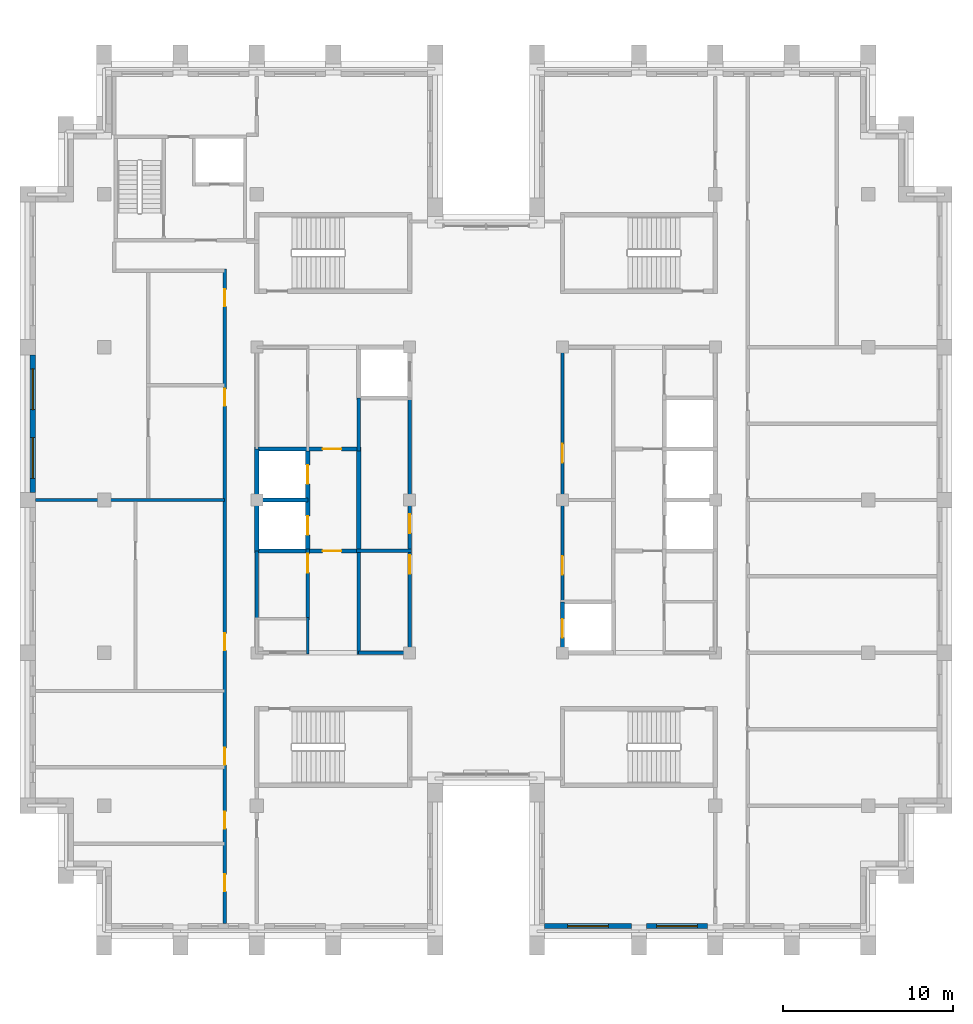
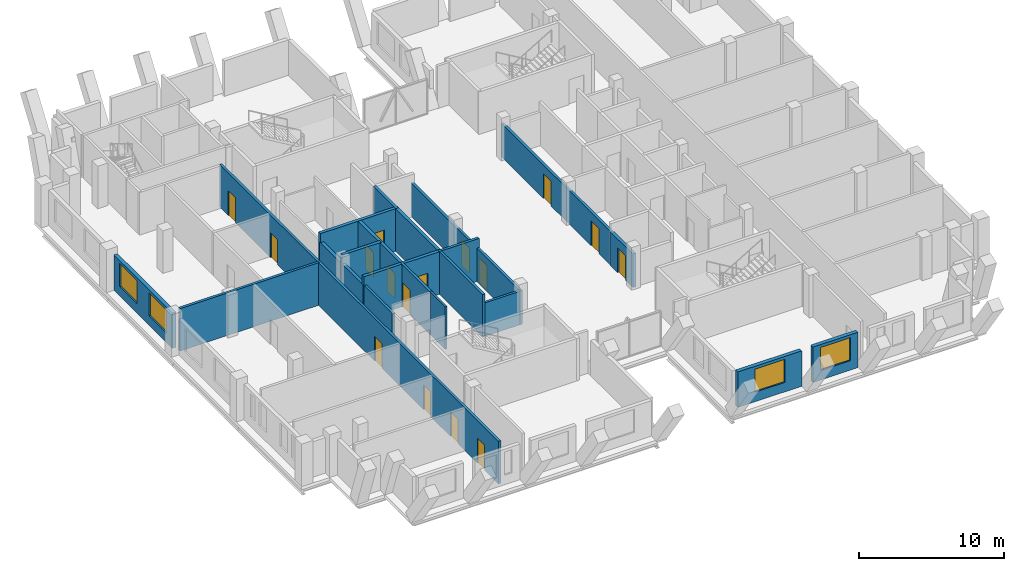
# One storey, part 7 of 13: 21 walls, 16 doors, 4 windows, 20 openings.
"""IFC4 building model written with IfcOpenShell, lengths in metres."""

from ifc_helpers import new_model, si_unit, direction, frame, frame_2d, origin, place, context, subcontext, project, spatial, rectangle, extrude, material, layer, layer_set, type_object, element, fill, save


model = new_model("IFC4")

# Units and contexts
model_context = context("Model", 3, precision=1e-05, world=origin(), true_north=direction((0.0, 1.0)))
body_context = subcontext(model_context, "Body", "Model", "MODEL_VIEW")
ifc_project = project(units=[si_unit("LENGTHUNIT", "METRE"), si_unit("AREAUNIT", "SQUARE_METRE"), si_unit("VOLUMEUNIT", "CUBIC_METRE"), si_unit("PLANEANGLEUNIT", "RADIAN"), si_unit("MASSUNIT", "GRAM", prefix="KILO")], contexts=[model_context])

# Site, building, storey
site_placement = place(None, origin())
site = spatial("IfcSite", under=ifc_project, at=site_placement, CompositionType="ELEMENT")
building_placement = place(site_placement, origin())
building = spatial("IfcBuilding", under=site, at=building_placement, Name="Corbelhall Arena Tower", CompositionType="ELEMENT")
storey_placement = place(building_placement, frame((0.0, 0.0, 346.0)))
storey = spatial("IfcBuildingStorey", under=building, at=storey_placement, Name="L76", CompositionType="ELEMENT", Elevation=346.0)

# Wall, openings, windows
ifc_material_1 = material(Name="Precast concrete C40/50 with granite facing", Category="masonry")
ifc_layer_1 = layer(ifc_material_1, 0.300048828125)
ifc_layer_set_1 = layer_set([ifc_layer_1], Name="EV-IW1 Infill panel 300")
wall_type_1 = type_object("IfcWallType", Name="EV-IW1 Infill panel 300", PredefinedType="SOLIDWALL", material=ifc_layer_set_1)
wall_1_placement = place(storey_placement, frame((-26.699951171875, 8.550048828125, 0.0), z_axis=(0.0, 0.0, 1.0), x_axis=(0.0, -1.0, 0.0)))
wall_1 = element("IfcWall", 1, at=wall_1_placement, inside=storey, type_object=wall_type_1, Name="Infill panel IW1", PredefinedType="SOLIDWALL", context=body_context, shape_type="SweptSolid", body=[
    extrude(rectangle(XDim=8.10009765625, YDim=0.300048828125, at=frame_2d((4.050048828125, 0.0))), origin(), (0.0, 0.0, 1.0), 2.989990234375),
])
opening_1_placement = place(wall_1_placement, frame((0.824951171875, 0.0, 0.800048828125)))
opening_1 = element("IfcOpeningElement", 2, at=opening_1_placement, cuts=wall_1, Name="Opening WN1", PredefinedType="OPENING", context=body_context, shape_type="SweptSolid", body=[
    extrude(rectangle(XDim=2.39990234375, YDim=1.949951171875, at=frame_2d((1.199951171875, 0.97509765625))), frame((0.0, 0.14990234375, 0.0), z_axis=(0.0, -1.0, 0.0), x_axis=(1.0, 0.0, 0.0)), (0.0, 0.0, 1.0), 0.300048828125),
])
opening_2_placement = place(wall_1_placement, frame((4.875, 0.0, 0.800048828125)))
opening_2 = element("IfcOpeningElement", 3, at=opening_2_placement, cuts=wall_1, Name="Opening WN1", PredefinedType="OPENING", context=body_context, shape_type="SweptSolid", body=[
    extrude(rectangle(XDim=2.39990234375, YDim=1.949951171875, at=frame_2d((1.199951171875, 0.97509765625))), frame((0.0, 0.14990234375, 0.0), z_axis=(0.0, -1.0, 0.0), x_axis=(1.0, 0.0, 0.0)), (0.0, 0.0, 1.0), 0.300048828125),
])
ifc_material_2 = material(Name="Aluminium black anodised", Category="aluminium")
window_type = type_object("IfcWindowType", Name="EV-WN1 Office window", PartitioningType="SINGLE_PANEL", PredefinedType="WINDOW", material=ifc_material_2)
window_1_placement = place(opening_1_placement, origin())
window_1 = element("IfcWindow", 4, at=window_1_placement, inside=storey, type_object=window_type, Name="Window WN1", OverallHeight=1.949951171875, OverallWidth=2.39990234375, PartitioningType="SINGLE_PANEL", PredefinedType="WINDOW", context=body_context, shape_type="SweptSolid", body=[
    extrude(rectangle(XDim=2.39990234375, YDim=1.949951171875, at=frame_2d((1.199951171875, 0.97509765625))), frame((0.0, 0.030029296875, 0.0), z_axis=(0.0, -1.0, 0.0), x_axis=(1.0, 0.0, 0.0)), (0.0, 0.0, 1.0), 0.06005859375),
])
fill(opening_1, window_1)
window_2_placement = place(opening_2_placement, origin())
window_2 = element("IfcWindow", 5, at=window_2_placement, inside=storey, type_object=window_type, Name="Window WN1", OverallHeight=1.949951171875, OverallWidth=2.39990234375, PartitioningType="SINGLE_PANEL", PredefinedType="WINDOW", context=body_context, shape_type="SweptSolid", body=[
    extrude(rectangle(XDim=2.39990234375, YDim=1.949951171875, at=frame_2d((1.199951171875, 0.97509765625))), frame((0.0, 0.030029296875, 0.0), z_axis=(0.0, -1.0, 0.0), x_axis=(1.0, 0.0, 0.0)), (0.0, 0.0, 1.0), 0.06005859375),
])
fill(opening_2, window_2)

# Wall, opening, window
wall_2_placement = place(storey_placement, frame((3.449951171875, -25.10009765625, 0.0), z_axis=(0.0, 0.0, 1.0), x_axis=(1.0, 0.0, 0.0)))
wall_2 = element("IfcWall", 6, at=wall_2_placement, inside=storey, type_object=wall_type_1, Name="Infill panel IW1", PredefinedType="SOLIDWALL", context=body_context, shape_type="SweptSolid", body=[
    extrude(rectangle(XDim=5.10009765625, YDim=0.300048828125, at=frame_2d((2.550048828125, 0.0))), origin(), (0.0, 0.0, 1.0), 2.989990234375),
])
opening_3_placement = place(wall_2_placement, frame((1.35009765625, 0.0, 0.800048828125)))
opening_3 = element("IfcOpeningElement", 7, at=opening_3_placement, cuts=wall_2, Name="Opening WN1", PredefinedType="OPENING", context=body_context, shape_type="SweptSolid", body=[
    extrude(rectangle(XDim=2.39990234375, YDim=1.949951171875, at=frame_2d((1.199951171875, 0.97509765625))), frame((0.0, 0.14990234375, 0.0), z_axis=(0.0, -1.0, 0.0), x_axis=(1.0, 0.0, 0.0)), (0.0, 0.0, 1.0), 0.300048828125),
])
window_3_placement = place(opening_3_placement, origin())
window_3 = element("IfcWindow", 8, at=window_3_placement, inside=storey, type_object=window_type, Name="Window WN1", OverallHeight=1.949951171875, OverallWidth=2.39990234375, PartitioningType="SINGLE_PANEL", PredefinedType="WINDOW", context=body_context, shape_type="SweptSolid", body=[
    extrude(rectangle(XDim=2.39990234375, YDim=1.949951171875, at=frame_2d((1.199951171875, 0.97509765625))), frame((0.0, 0.030029296875, 0.0), z_axis=(0.0, -1.0, 0.0), x_axis=(1.0, 0.0, 0.0)), (0.0, 0.0, 1.0), 0.06005859375),
])
fill(opening_3, window_3)

wall_3_placement = place(storey_placement, frame((9.449951171875, -25.10009765625, 0.0), z_axis=(0.0, 0.0, 1.0), x_axis=(1.0, 0.0, 0.0)))
wall_3 = element("IfcWall", 9, at=wall_3_placement, inside=storey, type_object=wall_type_1, Name="Infill panel IW1", PredefinedType="SOLIDWALL", context=body_context, shape_type="SweptSolid", body=[
    extrude(rectangle(XDim=3.60009765625, YDim=0.300048828125, at=frame_2d((1.800048828125, 0.0))), origin(), (0.0, 0.0, 1.0), 2.989990234375),
])
opening_4_placement = place(wall_3_placement, frame((0.60009765625, 0.0, 0.800048828125)))
opening_4 = element("IfcOpeningElement", 10, at=opening_4_placement, cuts=wall_3, Name="Opening WN1", PredefinedType="OPENING", context=body_context, shape_type="SweptSolid", body=[
    extrude(rectangle(XDim=2.39990234375, YDim=1.949951171875, at=frame_2d((1.199951171875, 0.97509765625))), frame((0.0, 0.14990234375, 0.0), z_axis=(0.0, -1.0, 0.0), x_axis=(1.0, 0.0, 0.0)), (0.0, 0.0, 1.0), 0.300048828125),
])
window_4_placement = place(opening_4_placement, origin())
window_4 = element("IfcWindow", 11, at=window_4_placement, inside=storey, type_object=window_type, Name="Window WN1", OverallHeight=1.949951171875, OverallWidth=2.39990234375, PartitioningType="SINGLE_PANEL", PredefinedType="WINDOW", context=body_context, shape_type="SweptSolid", body=[
    extrude(rectangle(XDim=2.39990234375, YDim=1.949951171875, at=frame_2d((1.199951171875, 0.97509765625))), frame((0.0, 0.030029296875, 0.0), z_axis=(0.0, -1.0, 0.0), x_axis=(1.0, 0.0, 0.0)), (0.0, 0.0, 1.0), 0.06005859375),
])
fill(opening_4, window_4)

# Wall
ifc_material_3 = material(Name="Gypsum board on steel stud, acoustic", Category="steel")
ifc_layer_2 = layer(ifc_material_3, 0.199951171875)
ifc_layer_set_2 = layer_set([ifc_layer_2], Name="IN-W-DM200")
wall_type_2 = type_object("IfcWallType", Name="IN-W-DM200", PredefinedType="PARTITIONING", material=ifc_layer_set_2)
wall_4_placement = place(storey_placement, frame((-15.39990234375, 0.0, 0.0), z_axis=(0.0, 0.0, 1.0), x_axis=(-1.0, 0.0, 0.0)))
element("IfcWall", 12, at=wall_4_placement, inside=storey, type_object=wall_type_2, Name="Partition 007", PredefinedType="PARTITIONING", context=body_context, shape_type="SweptSolid", body=[
    extrude(rectangle(XDim=11.150146484375, YDim=0.199951171875, at=frame_2d((5.5751953125, 0.0))), origin(), (0.0, 0.0, 1.0), 3.590087890625),
])

# Wall, openings, doors
wall_5_placement = place(storey_placement, frame((-15.39990234375, -24.949951171875, 0.0), z_axis=(0.0, 0.0, 1.0), x_axis=(0.0, 1.0, 0.0)))
wall_5 = element("IfcWall", 13, at=wall_5_placement, inside=storey, type_object=wall_type_2, Name="Partition 011", PredefinedType="PARTITIONING", context=body_context, shape_type="SweptSolid", body=[
    extrude(rectangle(XDim=38.550048828125, YDim=0.199951171875, at=frame_2d((19.27490234375, 0.0))), origin(), (0.0, 0.0, 1.0), 3.590087890625),
])
opening_5_placement = place(wall_5_placement, frame((30.5, 0.0, 0.0)))
opening_5 = element("IfcOpeningElement", 14, at=opening_5_placement, cuts=wall_5, Name="Opening 24022", PredefinedType="OPENING", context=body_context, shape_type="SweptSolid", body=[
    extrude(rectangle(XDim=1.0, YDim=2.10009765625, at=frame_2d((0.5, 1.050048828125))), frame((0.0, 0.10009765625, 0.0), z_axis=(0.0, -1.0, 0.0), x_axis=(1.0, 0.0, 0.0)), (0.0, 0.0, 1.0), 0.199951171875),
])
opening_6_placement = place(wall_5_placement, frame((36.35009765625, 0.0, 0.0)))
opening_6 = element("IfcOpeningElement", 15, at=opening_6_placement, cuts=wall_5, Name="Opening 24023", PredefinedType="OPENING", context=body_context, shape_type="SweptSolid", body=[
    extrude(rectangle(XDim=1.0, YDim=2.10009765625, at=frame_2d((0.5, 1.050048828125))), frame((0.0, 0.10009765625, 0.0), z_axis=(0.0, -1.0, 0.0), x_axis=(1.0, 0.0, 0.0)), (0.0, 0.0, 1.0), 0.199951171875),
])
opening_7_placement = place(wall_5_placement, frame((1.89990234375, 0.0, 0.0)))
opening_7 = element("IfcOpeningElement", 16, at=opening_7_placement, cuts=wall_5, Name="Opening 24025", PredefinedType="OPENING", context=body_context, shape_type="SweptSolid", body=[
    extrude(rectangle(XDim=1.0, YDim=2.10009765625, at=frame_2d((0.5, 1.050048828125))), frame((0.0, 0.10009765625, 0.0), z_axis=(0.0, -1.0, 0.0), x_axis=(1.0, 0.0, 0.0)), (0.0, 0.0, 1.0), 0.199951171875),
])
opening_8_placement = place(wall_5_placement, frame((5.60009765625, 0.0, 0.0)))
opening_8 = element("IfcOpeningElement", 17, at=opening_8_placement, cuts=wall_5, Name="Opening 24026", PredefinedType="OPENING", context=body_context, shape_type="SweptSolid", body=[
    extrude(rectangle(XDim=1.0, YDim=2.10009765625, at=frame_2d((0.5, 1.050048828125))), frame((0.0, 0.10009765625, 0.0), z_axis=(0.0, -1.0, 0.0), x_axis=(1.0, 0.0, 0.0)), (0.0, 0.0, 1.0), 0.199951171875),
])
opening_9_placement = place(wall_5_placement, frame((9.35009765625, 0.0, 0.0)))
opening_9 = element("IfcOpeningElement", 18, at=opening_9_placement, cuts=wall_5, Name="Opening 24027", PredefinedType="OPENING", context=body_context, shape_type="SweptSolid", body=[
    extrude(rectangle(XDim=1.0, YDim=2.10009765625, at=frame_2d((0.5, 1.050048828125))), frame((0.0, 0.10009765625, 0.0), z_axis=(0.0, -1.0, 0.0), x_axis=(1.0, 0.0, 0.0)), (0.0, 0.0, 1.0), 0.199951171875),
])
opening_10_placement = place(wall_5_placement, frame((16.10009765625, 0.0, 0.0)))
opening_10 = element("IfcOpeningElement", 19, at=opening_10_placement, cuts=wall_5, Name="Opening 24028", PredefinedType="OPENING", context=body_context, shape_type="SweptSolid", body=[
    extrude(rectangle(XDim=1.0, YDim=2.10009765625, at=frame_2d((0.5, 1.050048828125))), frame((0.0, 0.10009765625, 0.0), z_axis=(0.0, -1.0, 0.0), x_axis=(1.0, 0.0, 0.0)), (0.0, 0.0, 1.0), 0.199951171875),
])
ifc_material_4 = material(Name="Steel door set", Category="steel")
door_type_1 = type_object("IfcDoorType", Name="IN-D-SW100", OperationType="NOTDEFINED", PredefinedType="DOOR", material=ifc_material_4)
door_1_placement = place(opening_5_placement, origin())
door_1 = element("IfcDoor", 20, at=door_1_placement, inside=storey, type_object=door_type_1, Name="Door 022", OperationType="SINGLE_SWING_LEFT", OverallHeight=2.10009765625, OverallWidth=1.0, PredefinedType="DOOR", context=body_context, shape_type="SweptSolid", body=[
    extrude(rectangle(XDim=1.0, YDim=2.10009765625, at=frame_2d((0.5, 1.050048828125))), frame((0.0, 0.02490234375, 0.0), z_axis=(0.0, -1.0, 0.0), x_axis=(1.0, 0.0, 0.0)), (0.0, 0.0, 1.0), 0.050048828125),
])
fill(opening_5, door_1)
door_2_placement = place(opening_6_placement, origin())
door_2 = element("IfcDoor", 21, at=door_2_placement, inside=storey, type_object=door_type_1, Name="Door 023", OperationType="SINGLE_SWING_RIGHT", OverallHeight=2.10009765625, OverallWidth=1.0, PredefinedType="DOOR", context=body_context, shape_type="SweptSolid", body=[
    extrude(rectangle(XDim=1.0, YDim=2.10009765625, at=frame_2d((0.5, 1.050048828125))), frame((0.0, 0.02490234375, 0.0), z_axis=(0.0, -1.0, 0.0), x_axis=(1.0, 0.0, 0.0)), (0.0, 0.0, 1.0), 0.050048828125),
])
fill(opening_6, door_2)
door_3_placement = place(opening_7_placement, origin())
door_3 = element("IfcDoor", 22, at=door_3_placement, inside=storey, type_object=door_type_1, Name="Door 025", OperationType="SINGLE_SWING_RIGHT", OverallHeight=2.10009765625, OverallWidth=1.0, PredefinedType="DOOR", context=body_context, shape_type="SweptSolid", body=[
    extrude(rectangle(XDim=1.0, YDim=2.10009765625, at=frame_2d((0.5, 1.050048828125))), frame((0.0, 0.02490234375, 0.0), z_axis=(0.0, -1.0, 0.0), x_axis=(1.0, 0.0, 0.0)), (0.0, 0.0, 1.0), 0.050048828125),
])
fill(opening_7, door_3)
door_4_placement = place(opening_8_placement, origin())
door_4 = element("IfcDoor", 23, at=door_4_placement, inside=storey, type_object=door_type_1, Name="Door 026", OperationType="SINGLE_SWING_LEFT", OverallHeight=2.10009765625, OverallWidth=1.0, PredefinedType="DOOR", context=body_context, shape_type="SweptSolid", body=[
    extrude(rectangle(XDim=1.0, YDim=2.10009765625, at=frame_2d((0.5, 1.050048828125))), frame((0.0, 0.02490234375, 0.0), z_axis=(0.0, -1.0, 0.0), x_axis=(1.0, 0.0, 0.0)), (0.0, 0.0, 1.0), 0.050048828125),
])
fill(opening_8, door_4)
door_5_placement = place(opening_9_placement, origin())
door_5 = element("IfcDoor", 24, at=door_5_placement, inside=storey, type_object=door_type_1, Name="Door 027", OperationType="SINGLE_SWING_RIGHT", OverallHeight=2.10009765625, OverallWidth=1.0, PredefinedType="DOOR", context=body_context, shape_type="SweptSolid", body=[
    extrude(rectangle(XDim=1.0, YDim=2.10009765625, at=frame_2d((0.5, 1.050048828125))), frame((0.0, 0.02490234375, 0.0), z_axis=(0.0, -1.0, 0.0), x_axis=(1.0, 0.0, 0.0)), (0.0, 0.0, 1.0), 0.050048828125),
])
fill(opening_9, door_5)
door_6_placement = place(opening_10_placement, origin())
door_6 = element("IfcDoor", 25, at=door_6_placement, inside=storey, type_object=door_type_1, Name="Door 028", OperationType="SINGLE_SWING_LEFT", OverallHeight=2.10009765625, OverallWidth=1.0, PredefinedType="DOOR", context=body_context, shape_type="SweptSolid", body=[
    extrude(rectangle(XDim=1.0, YDim=2.10009765625, at=frame_2d((0.5, 1.050048828125))), frame((0.0, 0.02490234375, 0.0), z_axis=(0.0, -1.0, 0.0), x_axis=(1.0, 0.0, 0.0)), (0.0, 0.0, 1.0), 0.050048828125),
])
fill(opening_10, door_6)

# Wall, opening, door
ifc_material_5 = material(Name="Concrete block wall", Category="concrete")
ifc_layer_3 = layer(ifc_material_5, 0.199951171875)
ifc_layer_set_3 = layer_set([ifc_layer_3], Name="IN-W-RS200")
wall_type_3 = type_object("IfcWallType", Name="IN-W-RS200", PredefinedType="SOLIDWALL", material=ifc_layer_set_3)
wall_6_placement = place(storey_placement, frame((-10.5, -7.074951171875, 0.0), z_axis=(0.0, 0.0, 1.0), x_axis=(0.0, 1.0, 0.0)))
wall_6 = element("IfcWall", 26, at=wall_6_placement, inside=storey, type_object=wall_type_3, Name="Partition 032", PredefinedType="SOLIDWALL", context=body_context, shape_type="SweptSolid", body=[
    extrude(rectangle(XDim=4.199951171875, YDim=0.199951171875, at=frame_2d((2.10009765625, 0.0))), origin(), (0.0, 0.0, 1.0), 3.590087890625),
])
opening_11_placement = place(wall_6_placement, frame((2.800048828125, 0.0, 0.0)))
opening_11 = element("IfcOpeningElement", 27, at=opening_11_placement, cuts=wall_6, Name="Opening 24006", PredefinedType="OPENING", context=body_context, shape_type="SweptSolid", body=[
    extrude(rectangle(XDim=1.10009765625, YDim=2.10009765625, at=frame_2d((0.550048828125, 1.050048828125))), frame((0.0, 0.10009765625, 0.0), z_axis=(0.0, -1.0, 0.0), x_axis=(1.0, 0.0, 0.0)), (0.0, 0.0, 1.0), 0.199951171875),
])
door_type_2 = type_object("IfcDoorType", Name="IN-D-FD110", OperationType="NOTDEFINED", PredefinedType="DOOR", material=ifc_material_4)
door_7_placement = place(opening_11_placement, origin())
door_7 = element("IfcDoor", 28, at=door_7_placement, inside=storey, type_object=door_type_2, Name="Door 006", OperationType="SINGLE_SWING_LEFT", OverallHeight=2.10009765625, OverallWidth=1.10009765625, PredefinedType="DOOR", context=body_context, shape_type="SweptSolid", body=[
    extrude(rectangle(XDim=1.10009765625, YDim=2.10009765625, at=frame_2d((0.550048828125, 1.050048828125))), frame((0.0, 0.02490234375, 0.0), z_axis=(0.0, -1.0, 0.0), x_axis=(1.0, 0.0, 0.0)), (0.0, 0.0, 1.0), 0.050048828125),
])
fill(opening_11, door_7)

# Walls
wall_7_placement = place(storey_placement, frame((-7.625, -3.0, 0.0), z_axis=(0.0, 0.0, 1.0), x_axis=(1.0, 0.0, 0.0)))
element("IfcWall", 29, at=wall_7_placement, inside=storey, type_object=wall_type_3, Name="Partition 033", PredefinedType="SOLIDWALL", context=body_context, shape_type="SweptSolid", body=[
    extrude(rectangle(XDim=3.22509765625, YDim=0.199951171875, at=frame_2d((1.612548828125, 0.0))), origin(), (0.0, 0.0, 1.0), 3.590087890625),
])
wall_8_placement = place(storey_placement, frame((-7.5, -9.10009765625, 0.0), z_axis=(0.0, 0.0, 1.0), x_axis=(0.0, 1.0, 0.0)))
element("IfcWall", 30, at=wall_8_placement, inside=storey, type_object=wall_type_3, Name="Partition 034", PredefinedType="SOLIDWALL", context=body_context, shape_type="SweptSolid", body=[
    extrude(rectangle(XDim=6.22509765625, YDim=0.199951171875, at=frame_2d((3.112548828125, 0.0))), origin(), (0.0, 0.0, 1.0), 3.590087890625),
])
wall_9_placement = place(storey_placement, frame((-7.5, 2.875, 0.0), z_axis=(0.0, 0.0, 1.0), x_axis=(0.0, 1.0, 0.0)))
element("IfcWall", 31, at=wall_9_placement, inside=storey, type_object=wall_type_3, Name="Partition 035", PredefinedType="SOLIDWALL", context=body_context, shape_type="SweptSolid", body=[
    extrude(rectangle(XDim=3.125, YDim=0.199951171875, at=frame_2d((1.5625, 0.0))), origin(), (0.0, 0.0, 1.0), 3.590087890625),
])
ifc_layer_4 = layer(ifc_material_5, 0.199951171875)
ifc_layer_set_4 = layer_set([ifc_layer_4], Name="IN-W-RS200 under beam 762 mm")
wall_type_4 = type_object("IfcWallType", Name="IN-W-RS200 under beam 762 mm", PredefinedType="SOLIDWALL", material=ifc_layer_set_4)
wall_10_placement = place(storey_placement, frame((-13.5, -7.0, 0.0), z_axis=(0.0, 0.0, 1.0), x_axis=(0.0, 1.0, 0.0)))
element("IfcWall", 32, at=wall_10_placement, inside=storey, type_object=wall_type_4, Name="Partition 031", PredefinedType="SOLIDWALL", context=body_context, shape_type="SweptSolid", body=[
    extrude(rectangle(XDim=4.0, YDim=0.199951171875, at=frame_2d((2.0, 0.0))), origin(), (0.0, 0.0, 1.0), 2.827880859375),
])
wall_11_placement = place(storey_placement, frame((-4.5, -9.0, 0.0), z_axis=(0.0, 0.0, 1.0), x_axis=(-1.0, 0.0, 0.0)))
element("IfcWall", 33, at=wall_11_placement, inside=storey, type_object=wall_type_4, Name="Partition 036", PredefinedType="SOLIDWALL", context=body_context, shape_type="SweptSolid", body=[
    extrude(rectangle(XDim=3.0, YDim=0.199951171875, at=frame_2d((1.5, 0.0))), origin(), (0.0, 0.0, 1.0), 2.827880859375),
])

# Wall, openings, doors
wall_12_placement = place(storey_placement, frame((-4.5, 6.0, 0.0), z_axis=(0.0, 0.0, 1.0), x_axis=(0.0, -1.0, 0.0)))
wall_12 = element("IfcWall", 34, at=wall_12_placement, inside=storey, type_object=wall_type_4, Name="Partition 037", PredefinedType="SOLIDWALL", context=body_context, shape_type="SweptSolid", body=[
    extrude(rectangle(XDim=15.10009765625, YDim=0.199951171875, at=frame_2d((7.550048828125, 0.0))), origin(), (0.0, 0.0, 1.0), 2.827880859375),
])
opening_12_placement = place(wall_12_placement, frame((9.25, 0.0, 0.0)))
opening_12 = element("IfcOpeningElement", 35, at=opening_12_placement, cuts=wall_12, Name="Opening 24001", PredefinedType="OPENING", context=body_context, shape_type="SweptSolid", body=[
    extrude(rectangle(XDim=1.10009765625, YDim=2.10009765625, at=frame_2d((0.550048828125, 1.050048828125))), frame((0.0, 0.10009765625, 0.0), z_axis=(0.0, -1.0, 0.0), x_axis=(1.0, 0.0, 0.0)), (0.0, 0.0, 1.0), 0.199951171875),
])
opening_13_placement = place(wall_12_placement, frame((6.85009765625, 0.0, 0.0)))
opening_13 = element("IfcOpeningElement", 36, at=opening_13_placement, cuts=wall_12, Name="Opening 24002", PredefinedType="OPENING", context=body_context, shape_type="SweptSolid", body=[
    extrude(rectangle(XDim=1.10009765625, YDim=2.10009765625, at=frame_2d((0.550048828125, 1.050048828125))), frame((0.0, 0.10009765625, 0.0), z_axis=(0.0, -1.0, 0.0), x_axis=(1.0, 0.0, 0.0)), (0.0, 0.0, 1.0), 0.199951171875),
])
door_8_placement = place(opening_12_placement, origin())
door_8 = element("IfcDoor", 37, at=door_8_placement, inside=storey, type_object=door_type_2, Name="Door 001", OperationType="SINGLE_SWING_RIGHT", OverallHeight=2.10009765625, OverallWidth=1.10009765625, PredefinedType="DOOR", context=body_context, shape_type="SweptSolid", body=[
    extrude(rectangle(XDim=1.10009765625, YDim=2.10009765625, at=frame_2d((0.550048828125, 1.050048828125))), frame((0.0, 0.02490234375, 0.0), z_axis=(0.0, -1.0, 0.0), x_axis=(1.0, 0.0, 0.0)), (0.0, 0.0, 1.0), 0.050048828125),
])
fill(opening_12, door_8)
door_9_placement = place(opening_13_placement, origin())
door_9 = element("IfcDoor", 38, at=door_9_placement, inside=storey, type_object=door_type_2, Name="Door 002", OperationType="SINGLE_SWING_LEFT", OverallHeight=2.10009765625, OverallWidth=1.10009765625, PredefinedType="DOOR", context=body_context, shape_type="SweptSolid", body=[
    extrude(rectangle(XDim=1.10009765625, YDim=2.10009765625, at=frame_2d((0.550048828125, 1.050048828125))), frame((0.0, 0.02490234375, 0.0), z_axis=(0.0, -1.0, 0.0), x_axis=(1.0, 0.0, 0.0)), (0.0, 0.0, 1.0), 0.050048828125),
])
fill(opening_13, door_9)

wall_13_placement = place(storey_placement, frame((4.5, -6.0, 0.0), z_axis=(0.0, 0.0, 1.0), x_axis=(0.0, 1.0, 0.0)))
wall_13 = element("IfcWall", 39, at=wall_13_placement, inside=storey, type_object=wall_type_4, Name="Partition 039", PredefinedType="SOLIDWALL", context=body_context, shape_type="SweptSolid", body=[
    extrude(rectangle(XDim=15.10009765625, YDim=0.199951171875, at=frame_2d((7.550048828125, 0.0))), origin(), (0.0, 0.0, 1.0), 2.827880859375),
])
opening_14_placement = place(wall_13_placement, frame((1.60009765625, 0.0, 0.0)))
opening_14 = element("IfcOpeningElement", 40, at=opening_14_placement, cuts=wall_13, Name="Opening 24008", PredefinedType="OPENING", context=body_context, shape_type="SweptSolid", body=[
    extrude(rectangle(XDim=1.10009765625, YDim=2.10009765625, at=frame_2d((0.550048828125, 1.050048828125))), frame((0.0, 0.10009765625, 0.0), z_axis=(0.0, -1.0, 0.0), x_axis=(1.0, 0.0, 0.0)), (0.0, 0.0, 1.0), 0.199951171875),
])
opening_15_placement = place(wall_13_placement, frame((8.199951171875, 0.0, 0.0)))
opening_15 = element("IfcOpeningElement", 41, at=opening_15_placement, cuts=wall_13, Name="Opening 24009", PredefinedType="OPENING", context=body_context, shape_type="SweptSolid", body=[
    extrude(rectangle(XDim=1.10009765625, YDim=2.10009765625, at=frame_2d((0.550048828125, 1.050048828125))), frame((0.0, 0.10009765625, 0.0), z_axis=(0.0, -1.0, 0.0), x_axis=(1.0, 0.0, 0.0)), (0.0, 0.0, 1.0), 0.199951171875),
])
door_10_placement = place(opening_14_placement, origin())
door_10 = element("IfcDoor", 42, at=door_10_placement, inside=storey, type_object=door_type_2, Name="Door 008", OperationType="SINGLE_SWING_LEFT", OverallHeight=2.10009765625, OverallWidth=1.10009765625, PredefinedType="DOOR", context=body_context, shape_type="SweptSolid", body=[
    extrude(rectangle(XDim=1.10009765625, YDim=2.10009765625, at=frame_2d((0.550048828125, 1.050048828125))), frame((0.0, 0.02490234375, 0.0), z_axis=(0.0, -1.0, 0.0), x_axis=(1.0, 0.0, 0.0)), (0.0, 0.0, 1.0), 0.050048828125),
])
fill(opening_14, door_10)
door_11_placement = place(opening_15_placement, origin())
door_11 = element("IfcDoor", 43, at=door_11_placement, inside=storey, type_object=door_type_2, Name="Door 009", OperationType="SINGLE_SWING_RIGHT", OverallHeight=2.10009765625, OverallWidth=1.10009765625, PredefinedType="DOOR", context=body_context, shape_type="SweptSolid", body=[
    extrude(rectangle(XDim=1.10009765625, YDim=2.10009765625, at=frame_2d((0.550048828125, 1.050048828125))), frame((0.0, 0.02490234375, 0.0), z_axis=(0.0, -1.0, 0.0), x_axis=(1.0, 0.0, 0.0)), (0.0, 0.0, 1.0), 0.050048828125),
])
fill(opening_15, door_11)

# Wall
ifc_material_6 = material(Name="Concrete C40/50", Category="concrete")
ifc_layer_5 = layer(ifc_material_6, 0.25)
ifc_layer_set_5 = layer_set([ifc_layer_5], Name="IN-W-SH250")
wall_type_5 = type_object("IfcWallType", Name="IN-W-SH250", PredefinedType="SOLIDWALL", material=ifc_layer_set_5)
wall_14_placement = place(storey_placement, frame((-13.625, 0.0, 0.0), z_axis=(0.0, 0.0, 1.0), x_axis=(1.0, 0.0, 0.0)))
element("IfcWall", 44, at=wall_14_placement, inside=storey, type_object=wall_type_5, Name="Shaft wall 048", PredefinedType="SOLIDWALL", context=body_context, shape_type="SweptSolid", body=[
    extrude(rectangle(XDim=3.125, YDim=0.25, at=frame_2d((1.5625, 0.0))), origin(), (0.0, 0.0, 1.0), 3.590087890625),
])

# Wall, opening, door
wall_15_placement = place(storey_placement, frame((-13.625, 3.0, 0.0), z_axis=(0.0, 0.0, 1.0), x_axis=(1.0, 0.0, 0.0)))
wall_15 = element("IfcWall", 45, at=wall_15_placement, inside=storey, type_object=wall_type_5, Name="Shaft wall 049", PredefinedType="SOLIDWALL", context=body_context, shape_type="SweptSolid", body=[
    extrude(rectangle(XDim=6.125, YDim=0.25, at=frame_2d((3.0625, 0.0))), origin(), (0.0, 0.0, 1.0), 3.590087890625),
])
opening_16_placement = place(wall_15_placement, frame((4.0, 0.0, 0.0)))
opening_16 = element("IfcOpeningElement", 46, at=opening_16_placement, cuts=wall_15, Name="Opening 24004", PredefinedType="OPENING", context=body_context, shape_type="SweptSolid", body=[
    extrude(rectangle(XDim=1.10009765625, YDim=2.10009765625, at=frame_2d((0.550048828125, 1.050048828125))), frame((0.0, 0.125, 0.0), z_axis=(0.0, -1.0, 0.0), x_axis=(1.0, 0.0, 0.0)), (0.0, 0.0, 1.0), 0.25),
])
door_12_placement = place(opening_16_placement, origin())
door_12 = element("IfcDoor", 47, at=door_12_placement, inside=storey, type_object=door_type_2, Name="Door 004", OperationType="SINGLE_SWING_LEFT", OverallHeight=2.10009765625, OverallWidth=1.10009765625, PredefinedType="DOOR", context=body_context, shape_type="SweptSolid", body=[
    extrude(rectangle(XDim=1.10009765625, YDim=2.10009765625, at=frame_2d((0.550048828125, 1.050048828125))), frame((0.0, 0.02490234375, 0.0), z_axis=(0.0, -1.0, 0.0), x_axis=(1.0, 0.0, 0.0)), (0.0, 0.0, 1.0), 0.050048828125),
])
fill(opening_16, door_12)

wall_16_placement = place(storey_placement, frame((-13.625, -3.0, 0.0), z_axis=(0.0, 0.0, 1.0), x_axis=(1.0, 0.0, 0.0)))
wall_16 = element("IfcWall", 48, at=wall_16_placement, inside=storey, type_object=wall_type_5, Name="Shaft wall 051", PredefinedType="SOLIDWALL", context=body_context, shape_type="SweptSolid", body=[
    extrude(rectangle(XDim=6.125, YDim=0.25, at=frame_2d((3.0625, 0.0))), origin(), (0.0, 0.0, 1.0), 3.590087890625),
])
opening_17_placement = place(wall_16_placement, frame((4.0, 0.0, 0.0)))
opening_17 = element("IfcOpeningElement", 49, at=opening_17_placement, cuts=wall_16, Name="Opening 24003", PredefinedType="OPENING", context=body_context, shape_type="SweptSolid", body=[
    extrude(rectangle(XDim=1.10009765625, YDim=2.10009765625, at=frame_2d((0.550048828125, 1.050048828125))), frame((0.0, 0.125, 0.0), z_axis=(0.0, -1.0, 0.0), x_axis=(1.0, 0.0, 0.0)), (0.0, 0.0, 1.0), 0.25),
])
door_13_placement = place(opening_17_placement, origin())
door_13 = element("IfcDoor", 50, at=door_13_placement, inside=storey, type_object=door_type_2, Name="Door 003", OperationType="SINGLE_SWING_RIGHT", OverallHeight=2.10009765625, OverallWidth=1.10009765625, PredefinedType="DOOR", context=body_context, shape_type="SweptSolid", body=[
    extrude(rectangle(XDim=1.10009765625, YDim=2.10009765625, at=frame_2d((0.550048828125, 1.050048828125))), frame((0.0, 0.02490234375, 0.0), z_axis=(0.0, -1.0, 0.0), x_axis=(1.0, 0.0, 0.0)), (0.0, 0.0, 1.0), 0.050048828125),
])
fill(opening_17, door_13)

# Wall, openings, doors
wall_17_placement = place(storey_placement, frame((-10.5, -3.125, 0.0), z_axis=(0.0, 0.0, 1.0), x_axis=(0.0, 1.0, 0.0)))
wall_17 = element("IfcWall", 51, at=wall_17_placement, inside=storey, type_object=wall_type_5, Name="Shaft wall 052", PredefinedType="SOLIDWALL", context=body_context, shape_type="SweptSolid", body=[
    extrude(rectangle(XDim=6.25, YDim=0.25, at=frame_2d((3.125, 0.0))), origin(), (0.0, 0.0, 1.0), 3.590087890625),
])
opening_18_placement = place(wall_17_placement, frame((1.074951171875, 0.0, 0.0)))
opening_18 = element("IfcOpeningElement", 52, at=opening_18_placement, cuts=wall_17, Name="Opening LD", PredefinedType="OPENING", context=body_context, shape_type="SweptSolid", body=[
    extrude(rectangle(XDim=1.10009765625, YDim=2.10009765625, at=frame_2d((0.550048828125, 1.050048828125))), frame((0.0, 0.125, 0.0), z_axis=(0.0, -1.0, 0.0), x_axis=(1.0, 0.0, 0.0)), (0.0, 0.0, 1.0), 0.25),
])
opening_19_placement = place(wall_17_placement, frame((4.074951171875, 0.0, 0.0)))
opening_19 = element("IfcOpeningElement", 53, at=opening_19_placement, cuts=wall_17, Name="Opening LD", PredefinedType="OPENING", context=body_context, shape_type="SweptSolid", body=[
    extrude(rectangle(XDim=1.10009765625, YDim=2.10009765625, at=frame_2d((0.550048828125, 1.050048828125))), frame((0.0, 0.125, 0.0), z_axis=(0.0, -1.0, 0.0), x_axis=(1.0, 0.0, 0.0)), (0.0, 0.0, 1.0), 0.25),
])
door_type_3 = type_object("IfcDoorType", Name="IN-D-LD110", OperationType="NOTDEFINED", PredefinedType="DOOR", material=ifc_material_4)
door_14_placement = place(opening_18_placement, origin())
door_14 = element("IfcDoor", 54, at=door_14_placement, inside=storey, type_object=door_type_3, Name="Landing door W3", OperationType="SLIDING_TO_LEFT", OverallHeight=2.10009765625, OverallWidth=1.10009765625, PredefinedType="DOOR", context=body_context, shape_type="SweptSolid", body=[
    extrude(rectangle(XDim=1.10009765625, YDim=2.10009765625, at=frame_2d((0.550048828125, 1.050048828125))), frame((0.0, 0.02490234375, 0.0), z_axis=(0.0, -1.0, 0.0), x_axis=(1.0, 0.0, 0.0)), (0.0, 0.0, 1.0), 0.050048828125),
])
fill(opening_18, door_14)
door_15_placement = place(opening_19_placement, origin())
door_15 = element("IfcDoor", 55, at=door_15_placement, inside=storey, type_object=door_type_3, Name="Landing door W4", OperationType="SLIDING_TO_LEFT", OverallHeight=2.10009765625, OverallWidth=1.10009765625, PredefinedType="DOOR", context=body_context, shape_type="SweptSolid", body=[
    extrude(rectangle(XDim=1.10009765625, YDim=2.10009765625, at=frame_2d((0.550048828125, 1.050048828125))), frame((0.0, 0.02490234375, 0.0), z_axis=(0.0, -1.0, 0.0), x_axis=(1.0, 0.0, 0.0)), (0.0, 0.0, 1.0), 0.050048828125),
])
fill(opening_19, door_15)

# Walls
wall_18_placement = place(storey_placement, frame((-7.5, -3.125, 0.0), z_axis=(0.0, 0.0, 1.0), x_axis=(0.0, 1.0, 0.0)))
element("IfcWall", 56, at=wall_18_placement, inside=storey, type_object=wall_type_5, Name="Shaft wall 054", PredefinedType="SOLIDWALL", context=body_context, shape_type="SweptSolid", body=[
    extrude(rectangle(XDim=6.25, YDim=0.25, at=frame_2d((3.125, 0.0))), origin(), (0.0, 0.0, 1.0), 3.590087890625),
])
ifc_layer_6 = layer(ifc_material_6, 0.25)
ifc_layer_set_6 = layer_set([ifc_layer_6], Name="IN-W-SH250 under beam 762 mm")
wall_type_6 = type_object("IfcWallType", Name="IN-W-SH250 under beam 762 mm", PredefinedType="SOLIDWALL", material=ifc_layer_set_6)
wall_19_placement = place(storey_placement, frame((-13.5, -3.0, 0.0), z_axis=(0.0, 0.0, 1.0), x_axis=(0.0, 1.0, 0.0)))
element("IfcWall", 57, at=wall_19_placement, inside=storey, type_object=wall_type_6, Name="Shaft wall 050", PredefinedType="SOLIDWALL", context=body_context, shape_type="SweptSolid", body=[
    extrude(rectangle(XDim=6.0, YDim=0.25, at=frame_2d((3.0, 0.0))), origin(), (0.0, 0.0, 1.0), 2.827880859375),
])

# Wall, opening, door
wall_20_placement = place(storey_placement, frame((4.5, -9.125, 0.0), z_axis=(0.0, 0.0, 1.0), x_axis=(0.0, 1.0, 0.0)))
wall_20 = element("IfcWall", 58, at=wall_20_placement, inside=storey, type_object=wall_type_6, Name="Shaft wall 059", PredefinedType="SOLIDWALL", context=body_context, shape_type="SweptSolid", body=[
    extrude(rectangle(XDim=3.125, YDim=0.25, at=frame_2d((1.5625, 0.0))), origin(), (0.0, 0.0, 1.0), 2.827880859375),
])
opening_20_placement = place(wall_20_placement, frame((1.012451171875, 0.0, 0.0)))
opening_20 = element("IfcOpeningElement", 59, at=opening_20_placement, cuts=wall_20, Name="Opening LD", PredefinedType="OPENING", context=body_context, shape_type="SweptSolid", body=[
    extrude(rectangle(XDim=1.10009765625, YDim=2.10009765625, at=frame_2d((0.550048828125, 1.050048828125))), frame((0.0, 0.125, 0.0), z_axis=(0.0, -1.0, 0.0), x_axis=(1.0, 0.0, 0.0)), (0.0, 0.0, 1.0), 0.25),
])
door_16_placement = place(opening_20_placement, origin())
door_16 = element("IfcDoor", 60, at=door_16_placement, inside=storey, type_object=door_type_3, Name="Landing door E1", OperationType="SLIDING_TO_LEFT", OverallHeight=2.10009765625, OverallWidth=1.10009765625, PredefinedType="DOOR", context=body_context, shape_type="SweptSolid", body=[
    extrude(rectangle(XDim=1.10009765625, YDim=2.10009765625, at=frame_2d((0.550048828125, 1.050048828125))), frame((0.0, 0.02490234375, 0.0), z_axis=(0.0, -1.0, 0.0), x_axis=(1.0, 0.0, 0.0)), (0.0, 0.0, 1.0), 0.050048828125),
])
fill(opening_20, door_16)

# Wall
ifc_material_7 = material(Name="Gypsum board on steel stud, moisture resistant", Category="steel")
ifc_layer_7 = layer(ifc_material_7, 0.14990234375)
ifc_layer_set_7 = layer_set([ifc_layer_7], Name="IN-W-WC150")
wall_type_7 = type_object("IfcWallType", Name="IN-W-WC150", PredefinedType="PARTITIONING", material=ifc_layer_set_7)
wall_21_placement = place(storey_placement, frame((-10.5, -9.074951171875, 0.0), z_axis=(0.0, 0.0, 1.0), x_axis=(0.0, 1.0, 0.0)))
element("IfcWall", 61, at=wall_21_placement, inside=storey, type_object=wall_type_7, Name="Partition 089", PredefinedType="PARTITIONING", context=body_context, shape_type="SweptSolid", body=[
    extrude(rectangle(XDim=2.14990234375, YDim=0.14990234375, at=frame_2d((1.074951171875, 0.0))), origin(), (0.0, 0.0, 1.0), 3.590087890625),
])

save(model, "model.ifc")
